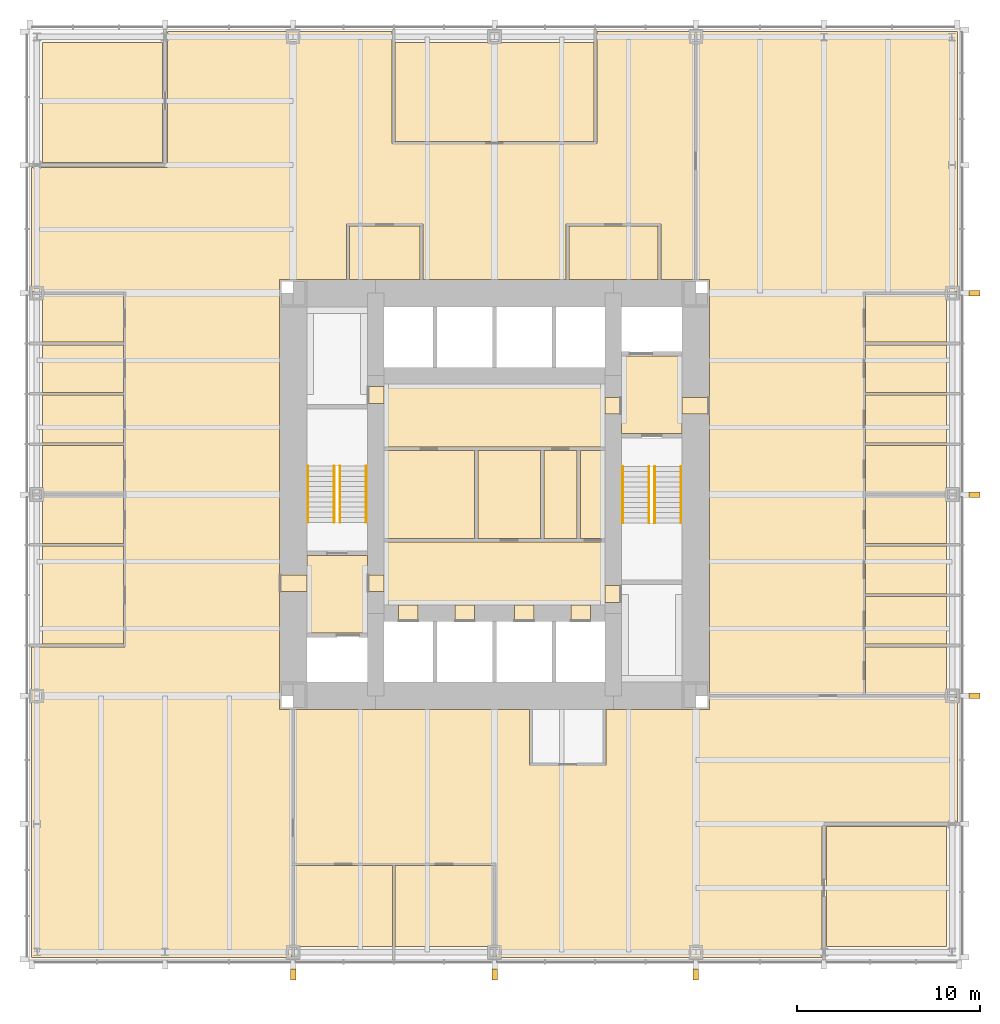
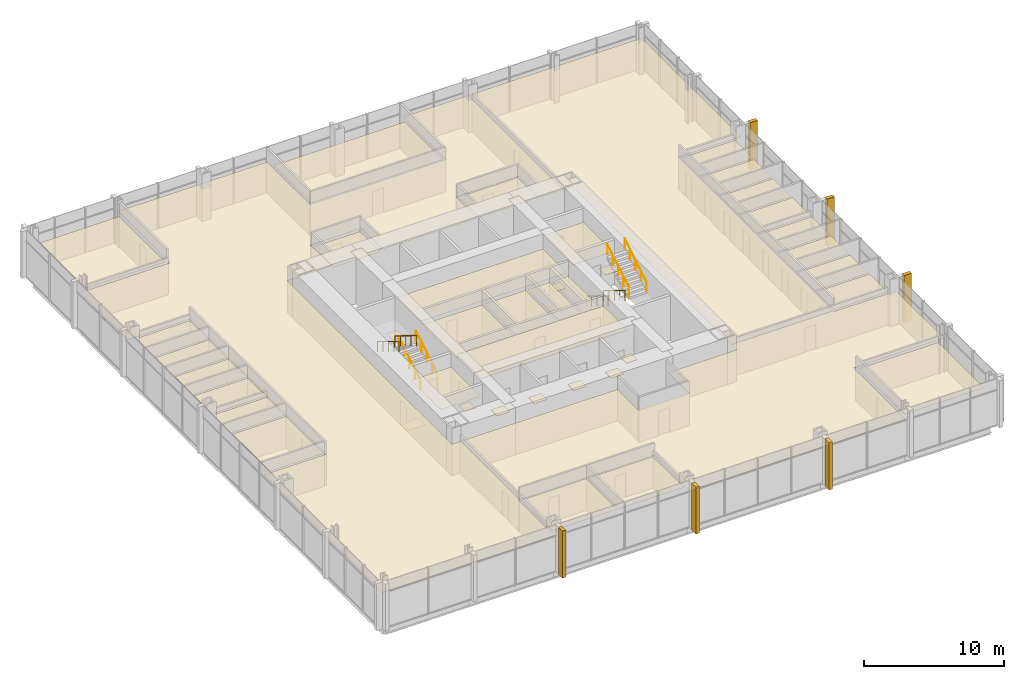
# One storey, part 13 of 13: 48 coverings, 8 railings.
"""IFC4 building model written with IfcOpenShell, lengths in metres."""

from ifc_helpers import new_model, si_unit, direction, frame, origin, origin_2d, place, context, subcontext, project, spatial, polyline, rectangle, circle, outline, extrude, material, layer, layer_set, type_object, element, save


model = new_model("IFC4")

# Units and contexts
model_context = context("Model", 3, precision=1e-05, world=origin(), true_north=direction((0.0, 1.0)))
body_context = subcontext(model_context, "Body", "Model", "MODEL_VIEW")
ifc_project = project(units=[si_unit("LENGTHUNIT", "METRE"), si_unit("AREAUNIT", "SQUARE_METRE"), si_unit("VOLUMEUNIT", "CUBIC_METRE"), si_unit("PLANEANGLEUNIT", "RADIAN"), si_unit("MASSUNIT", "GRAM", prefix="KILO")], contexts=[model_context])

# Site, building, storey
site_placement = place(None, origin())
site = spatial("IfcSite", under=ifc_project, at=site_placement, CompositionType="ELEMENT")
building_placement = place(site_placement, origin())
building = spatial("IfcBuilding", under=site, at=building_placement, Name="Trevanion Tower", CompositionType="ELEMENT")
storey_placement = place(building_placement, frame((0.0, 0.0, 85.699951171875)))
storey = spatial("IfcBuildingStorey", under=building, at=storey_placement, Name="L20", CompositionType="ELEMENT", Elevation=85.699951171875)

# Coverings
ifc_material_1 = material(Name="Fibrous plaster coffers on suspended steel grid", Category="steel")
ifc_layer_1 = layer(ifc_material_1, 0.050048828125)
ifc_layer_set_1 = layer_set([ifc_layer_1], Name="CL1 coffered fibrous plaster ceiling 50")
covering_type_1 = type_object("IfcCoveringType", Name="CL1 coffered fibrous plaster ceiling 50", PredefinedType="CEILING", material=ifc_layer_set_1)
covering_1_placement = place(storey_placement, frame((0.0, 0.0, 3.0)))
element("IfcCovering", 1, at=covering_1_placement, inside=storey, type_object=covering_type_1, Name="CL1 L20-LBS", PredefinedType="CEILING", context=body_context, shape_type="SweptSolid", body=[
    extrude(outline(polyline([(6.050048828125, -6.050048828125), (6.050048828125, -2.60009765625), (-6.050048828125, -2.60009765625), (-6.050048828125, -6.050048828125), (6.050048828125, -6.050048828125)])), origin(), (0.0, 0.0, 1.0), 0.050048828125),
])
ifc_material_2 = material(Name="Mineral fibre acoustic tiles in exposed grid", Category="mineral fibre")
ifc_layer_2 = layer(ifc_material_2, 0.02001953125)
ifc_layer_set_2 = layer_set([ifc_layer_2], Name="CL2 acoustic tile ceiling 20")
covering_type_2 = type_object("IfcCoveringType", Name="CL2 acoustic tile ceiling 20", PredefinedType="CEILING", material=ifc_layer_set_2)
covering_2_placement = place(storey_placement, frame((0.0, 0.0, 2.75)))
element("IfcCovering", 2, at=covering_2_placement, inside=storey, type_object=covering_type_2, Name="CL2 L20-LBN", PredefinedType="CEILING", context=body_context, shape_type="SweptSolid", body=[
    extrude(outline(polyline([(6.050048828125, 2.60009765625), (6.050048828125, 6.050048828125), (-6.050048828125, 6.050048828125), (-6.050048828125, 2.60009765625), (6.050048828125, 2.60009765625)])), origin(), (0.0, 0.0, 1.0), 0.02001953125),
])
covering_3_placement = place(storey_placement, frame((0.0, 0.0, 2.75)))
element("IfcCovering", 3, at=covering_3_placement, inside=storey, type_object=covering_type_2, Name="CL2 L20-OF", PredefinedType="CEILING", context=body_context, shape_type="SweptSolid", body=[
    extrude(outline(polyline([(-18.14990234375, 18.14990234375), (-24.699951171875, 18.14990234375), (-24.699951171875, 24.699951171875), (-18.14990234375, 24.699951171875), (-18.14990234375, 18.14990234375)])), origin(), (0.0, 0.0, 1.0), 0.02001953125),
])
covering_4_placement = place(storey_placement, frame((0.0, 0.0, 2.75)))
element("IfcCovering", 4, at=covering_4_placement, inside=storey, type_object=covering_type_2, Name="CL2 L20-BR", PredefinedType="CEILING", context=body_context, shape_type="SweptSolid", body=[
    extrude(outline(polyline([(18.14990234375, -18.14990234375), (24.699951171875, -18.14990234375), (24.699951171875, -24.699951171875), (18.14990234375, -24.699951171875), (18.14990234375, -18.14990234375)])), origin(), (0.0, 0.0, 1.0), 0.02001953125),
])
covering_5_placement = place(storey_placement, frame((0.0, 0.0, 2.75)))
element("IfcCovering", 5, at=covering_5_placement, inside=storey, type_object=covering_type_2, Name="CL2 L20-OF2", PredefinedType="CEILING", context=body_context, shape_type="SweptSolid", body=[
    extrude(outline(polyline([(20.27490234375, -10.925048828125), (20.27490234375, -8.324951171875), (24.699951171875, -8.324951171875), (24.699951171875, -10.925048828125), (20.27490234375, -10.925048828125)])), origin(), (0.0, 0.0, 1.0), 0.02001953125),
])
covering_6_placement = place(storey_placement, frame((0.0, 0.0, 2.75)))
element("IfcCovering", 6, at=covering_6_placement, inside=storey, type_object=covering_type_2, Name="CL2 L20-OF3", PredefinedType="CEILING", context=body_context, shape_type="SweptSolid", body=[
    extrude(outline(polyline([(20.27490234375, -8.175048828125), (20.27490234375, -5.574951171875), (24.699951171875, -5.574951171875), (24.699951171875, -8.175048828125), (20.27490234375, -8.175048828125)])), origin(), (0.0, 0.0, 1.0), 0.02001953125),
])
covering_7_placement = place(storey_placement, frame((0.0, 0.0, 2.75)))
element("IfcCovering", 7, at=covering_7_placement, inside=storey, type_object=covering_type_2, Name="CL2 L20-OF4", PredefinedType="CEILING", context=body_context, shape_type="SweptSolid", body=[
    extrude(outline(polyline([(20.27490234375, -5.425048828125), (20.27490234375, -2.824951171875), (24.699951171875, -2.824951171875), (24.699951171875, -5.425048828125), (20.27490234375, -5.425048828125)])), origin(), (0.0, 0.0, 1.0), 0.02001953125),
])
covering_8_placement = place(storey_placement, frame((0.0, 0.0, 2.75)))
element("IfcCovering", 8, at=covering_8_placement, inside=storey, type_object=covering_type_2, Name="CL2 L20-OF5", PredefinedType="CEILING", context=body_context, shape_type="SweptSolid", body=[
    extrude(outline(polyline([(20.27490234375, -2.675048828125), (20.27490234375, -0.074951171875), (24.699951171875, -0.074951171875), (24.699951171875, -2.675048828125), (20.27490234375, -2.675048828125)])), origin(), (0.0, 0.0, 1.0), 0.02001953125),
])
covering_9_placement = place(storey_placement, frame((0.0, 0.0, 2.75)))
element("IfcCovering", 9, at=covering_9_placement, inside=storey, type_object=covering_type_2, Name="CL2 L20-OF6", PredefinedType="CEILING", context=body_context, shape_type="SweptSolid", body=[
    extrude(outline(polyline([(20.27490234375, 0.074951171875), (20.27490234375, 2.675048828125), (24.699951171875, 2.675048828125), (24.699951171875, 0.074951171875), (20.27490234375, 0.074951171875)])), origin(), (0.0, 0.0, 1.0), 0.02001953125),
])
covering_10_placement = place(storey_placement, frame((0.0, 0.0, 2.75)))
element("IfcCovering", 10, at=covering_10_placement, inside=storey, type_object=covering_type_2, Name="CL2 L20-OF7", PredefinedType="CEILING", context=body_context, shape_type="SweptSolid", body=[
    extrude(outline(polyline([(20.27490234375, 2.824951171875), (20.27490234375, 5.425048828125), (24.699951171875, 5.425048828125), (24.699951171875, 2.824951171875), (20.27490234375, 2.824951171875)])), origin(), (0.0, 0.0, 1.0), 0.02001953125),
])
covering_11_placement = place(storey_placement, frame((0.0, 0.0, 2.75)))
element("IfcCovering", 11, at=covering_11_placement, inside=storey, type_object=covering_type_2, Name="CL2 L20-OF8", PredefinedType="CEILING", context=body_context, shape_type="SweptSolid", body=[
    extrude(outline(polyline([(20.27490234375, 5.574951171875), (20.27490234375, 8.175048828125), (24.699951171875, 8.175048828125), (24.699951171875, 5.574951171875), (20.27490234375, 5.574951171875)])), origin(), (0.0, 0.0, 1.0), 0.02001953125),
])
covering_12_placement = place(storey_placement, frame((0.0, 0.0, 2.75)))
element("IfcCovering", 12, at=covering_12_placement, inside=storey, type_object=covering_type_2, Name="CL2 L20-OF9", PredefinedType="CEILING", context=body_context, shape_type="SweptSolid", body=[
    extrude(outline(polyline([(20.27490234375, 8.324951171875), (20.27490234375, 10.925048828125), (24.699951171875, 10.925048828125), (24.699951171875, 8.324951171875), (20.27490234375, 8.324951171875)])), origin(), (0.0, 0.0, 1.0), 0.02001953125),
])
covering_13_placement = place(storey_placement, frame((0.0, 0.0, 2.75)))
element("IfcCovering", 13, at=covering_13_placement, inside=storey, type_object=covering_type_2, Name="CL2 L20-OF10", PredefinedType="CEILING", context=body_context, shape_type="SweptSolid", body=[
    extrude(outline(polyline([(-20.27490234375, 10.925048828125), (-20.27490234375, 8.324951171875), (-24.699951171875, 8.324951171875), (-24.699951171875, 10.925048828125), (-20.27490234375, 10.925048828125)])), origin(), (0.0, 0.0, 1.0), 0.02001953125),
])
covering_14_placement = place(storey_placement, frame((0.0, 0.0, 2.75)))
element("IfcCovering", 14, at=covering_14_placement, inside=storey, type_object=covering_type_2, Name="CL2 L20-OF11", PredefinedType="CEILING", context=body_context, shape_type="SweptSolid", body=[
    extrude(outline(polyline([(-20.27490234375, 8.175048828125), (-20.27490234375, 5.574951171875), (-24.699951171875, 5.574951171875), (-24.699951171875, 8.175048828125), (-20.27490234375, 8.175048828125)])), origin(), (0.0, 0.0, 1.0), 0.02001953125),
])
covering_15_placement = place(storey_placement, frame((0.0, 0.0, 2.75)))
element("IfcCovering", 15, at=covering_15_placement, inside=storey, type_object=covering_type_2, Name="CL2 L20-OF12", PredefinedType="CEILING", context=body_context, shape_type="SweptSolid", body=[
    extrude(outline(polyline([(-20.27490234375, 5.425048828125), (-20.27490234375, 2.824951171875), (-24.699951171875, 2.824951171875), (-24.699951171875, 5.425048828125), (-20.27490234375, 5.425048828125)])), origin(), (0.0, 0.0, 1.0), 0.02001953125),
])
covering_16_placement = place(storey_placement, frame((0.0, 0.0, 2.75)))
element("IfcCovering", 16, at=covering_16_placement, inside=storey, type_object=covering_type_2, Name="CL2 L20-OF13", PredefinedType="CEILING", context=body_context, shape_type="SweptSolid", body=[
    extrude(outline(polyline([(-20.27490234375, 2.675048828125), (-20.27490234375, 0.074951171875), (-24.699951171875, 0.074951171875), (-24.699951171875, 2.675048828125), (-20.27490234375, 2.675048828125)])), origin(), (0.0, 0.0, 1.0), 0.02001953125),
])
covering_17_placement = place(storey_placement, frame((0.0, 0.0, 2.75)))
element("IfcCovering", 17, at=covering_17_placement, inside=storey, type_object=covering_type_2, Name="CL2 L20-OF14", PredefinedType="CEILING", context=body_context, shape_type="SweptSolid", body=[
    extrude(outline(polyline([(-20.27490234375, -0.074951171875), (-20.27490234375, -2.675048828125), (-24.699951171875, -2.675048828125), (-24.699951171875, -0.074951171875), (-20.27490234375, -0.074951171875)])), origin(), (0.0, 0.0, 1.0), 0.02001953125),
])
covering_18_placement = place(storey_placement, frame((0.0, 0.0, 2.75)))
element("IfcCovering", 18, at=covering_18_placement, inside=storey, type_object=covering_type_2, Name="CL2 L20-MR", PredefinedType="CEILING", context=body_context, shape_type="SweptSolid", body=[
    extrude(outline(polyline([(-20.27490234375, -2.824951171875), (-20.27490234375, -8.175048828125), (-24.699951171875, -8.175048828125), (-24.699951171875, -2.824951171875), (-20.27490234375, -2.824951171875)])), origin(), (0.0, 0.0, 1.0), 0.02001953125),
])
covering_19_placement = place(storey_placement, frame((0.0, 0.0, 2.75)))
element("IfcCovering", 19, at=covering_19_placement, inside=storey, type_object=covering_type_2, Name="CL2 L20-BR2", PredefinedType="CEILING", context=body_context, shape_type="SweptSolid", body=[
    extrude(outline(polyline([(5.425048828125, 19.27490234375), (-5.425048828125, 19.27490234375), (-5.425048828125, 24.699951171875), (5.425048828125, 24.699951171875), (5.425048828125, 19.27490234375)])), origin(), (0.0, 0.0, 1.0), 0.02001953125),
])
covering_20_placement = place(storey_placement, frame((0.0, 0.0, 2.75)))
element("IfcCovering", 20, at=covering_20_placement, inside=storey, type_object=covering_type_2, Name="CL2 L20-MR2", PredefinedType="CEILING", context=body_context, shape_type="SweptSolid", body=[
    extrude(outline(polyline([(-10.925048828125, -20.27490234375), (-5.574951171875, -20.27490234375), (-5.574951171875, -24.699951171875), (-10.925048828125, -24.699951171875), (-10.925048828125, -20.27490234375)])), origin(), (0.0, 0.0, 1.0), 0.02001953125),
])
covering_21_placement = place(storey_placement, frame((0.0, 0.0, 2.75)))
element("IfcCovering", 21, at=covering_21_placement, inside=storey, type_object=covering_type_2, Name="CL2 L20-MR3", PredefinedType="CEILING", context=body_context, shape_type="SweptSolid", body=[
    extrude(outline(polyline([(-5.425048828125, -20.27490234375), (-0.074951171875, -20.27490234375), (-0.074951171875, -24.699951171875), (-5.425048828125, -24.699951171875), (-5.425048828125, -20.27490234375)])), origin(), (0.0, 0.0, 1.0), 0.02001953125),
])
covering_22_placement = place(storey_placement, frame((0.0, 0.0, 2.75)))
element("IfcCovering", 22, at=covering_22_placement, inside=storey, type_object=covering_type_2, Name="CL2 L20-RC", PredefinedType="CEILING", context=body_context, shape_type="SweptSolid", body=[
    extrude(outline(polyline([(4.074951171875, 14.675048828125), (8.925048828125, 14.675048828125), (8.925048828125, 11.75), (4.074951171875, 11.75), (4.074951171875, 14.675048828125)])), origin(), (0.0, 0.0, 1.0), 0.02001953125),
])
covering_23_placement = place(storey_placement, frame((0.0, 0.0, 2.75)))
element("IfcCovering", 23, at=covering_23_placement, inside=storey, type_object=covering_type_2, Name="CL2 L20-OP", PredefinedType="CEILING", context=body_context, shape_type="SweptSolid", body=[
    extrude(outline(polyline([(11.75, 11.75), (11.0, 11.75), (11.0, 25.300048828125), (25.300048828125, 25.300048828125), (25.300048828125, 11.094970703125), (20.179931640625, 11.094970703125), (20.179931640625, -11.0), (11.75, -11.0), (11.75, 11.75)])), origin(), (0.0, 0.0, 1.0), 0.02001953125),
])
covering_24_placement = place(storey_placement, frame((0.0, 0.0, 2.75)))
element("IfcCovering", 24, at=covering_24_placement, inside=storey, type_object=covering_type_2, Name="CL2 L20-OP2", PredefinedType="CEILING", context=body_context, shape_type="SweptSolid", body=[
    extrude(outline(polyline([(-11.0, -11.75), (-11.0, -20.179931640625), (-11.094970703125, -20.179931640625), (-11.094970703125, -25.300048828125), (-25.300048828125, -25.300048828125), (-25.300048828125, -8.344970703125), (-20.179931640625, -8.344970703125), (-20.179931640625, 11.094970703125), (-25.300048828125, 11.094970703125), (-25.300048828125, 17.8798828125), (-17.8798828125, 17.8798828125), (-17.8798828125, 25.300048828125), (-5.594970703125, 25.300048828125), (-5.594970703125, 19.179931640625), (5.594970703125, 19.179931640625), (5.594970703125, 25.300048828125), (11.0, 25.300048828125), (11.0, 11.75), (9.094970703125, 11.75), (9.094970703125, 14.77001953125), (3.905029296875, 14.77001953125), (3.905029296875, 11.75), (-3.905029296875, 11.75), (-3.905029296875, 14.77001953125), (-8.094970703125, 14.77001953125), (-8.094970703125, 11.75), (-11.75, 11.75), (-11.75, -11.75), (-11.0, -11.75)])), origin(), (0.0, 0.0, 1.0), 0.02001953125),
])
covering_25_placement = place(storey_placement, frame((0.0, 0.0, 2.75)))
element("IfcCovering", 25, at=covering_25_placement, inside=storey, type_object=covering_type_2, Name="CL2 L20-OP3", PredefinedType="CEILING", context=body_context, shape_type="SweptSolid", body=[
    extrude(outline(polyline([(1.905029296875, -11.75), (1.905029296875, -14.77001953125), (6.094970703125, -14.77001953125), (6.094970703125, -11.75), (11.75, -11.75), (11.75, -11.0), (20.179931640625, -11.0), (20.179931640625, -11.094970703125), (25.300048828125, -11.094970703125), (25.300048828125, -17.8798828125), (17.8798828125, -17.8798828125), (17.8798828125, -25.300048828125), (0.094970703125, -25.300048828125), (0.094970703125, -20.179931640625), (-11.0, -20.179931640625), (-11.0, -11.75), (1.905029296875, -11.75)])), origin(), (0.0, 0.0, 1.0), 0.02001953125),
])
ifc_material_3 = material(Name="Gypsum plasterboard on suspended metal furring", Category="gypsum")
ifc_layer_3 = layer(ifc_material_3, 0.012939453125)
ifc_layer_set_3 = layer_set([ifc_layer_3], Name="CL3 plasterboard ceiling 13")
covering_type_3 = type_object("IfcCoveringType", Name="CL3 plasterboard ceiling 13", PredefinedType="CEILING", material=ifc_layer_set_3)
covering_26_placement = place(storey_placement, frame((0.0, 0.0, 2.699951171875)))
element("IfcCovering", 26, at=covering_26_placement, inside=storey, type_object=covering_type_3, Name="CL3 L20-FV1", PredefinedType="CEILING", context=body_context, shape_type="SweptSolid", body=[
    extrude(outline(polyline([(10.25, 3.324951171875), (10.25, 7.574951171875), (6.949951171875, 7.574951171875), (6.949951171875, 3.324951171875), (10.25, 3.324951171875)])), origin(), (0.0, 0.0, 1.0), 0.01318359375),
])
covering_27_placement = place(storey_placement, frame((0.0, 0.0, 2.699951171875)))
element("IfcCovering", 27, at=covering_27_placement, inside=storey, type_object=covering_type_3, Name="CL3 L20-FV2", PredefinedType="CEILING", context=body_context, shape_type="SweptSolid", body=[
    extrude(outline(polyline([(-10.25, -3.324951171875), (-10.25, -7.574951171875), (-6.949951171875, -7.574951171875), (-6.949951171875, -3.324951171875), (-10.25, -3.324951171875)])), origin(), (0.0, 0.0, 1.0), 0.01318359375),
])
ifc_material_4 = material(Name="Moisture-resistant gypsum board on suspended metal furring", Category="gypsum")
ifc_layer_4 = layer(ifc_material_4, 0.01611328125)
ifc_layer_set_4 = layer_set([ifc_layer_4], Name="CL4 moisture-resistant board ceiling 16")
covering_type_4 = type_object("IfcCoveringType", Name="CL4 moisture-resistant board ceiling 16", PredefinedType="CEILING", material=ifc_layer_set_4)
covering_28_placement = place(storey_placement, frame((0.0, 0.0, 2.60009765625)))
element("IfcCovering", 28, at=covering_28_placement, inside=storey, type_object=covering_type_4, Name="CL4 L20-WCM", PredefinedType="CEILING", context=body_context, shape_type="SweptSolid", body=[
    extrude(outline(polyline([(-1.10009765625, -2.39990234375), (-1.10009765625, 2.39990234375), (-6.050048828125, 2.39990234375), (-6.050048828125, -2.39990234375), (-1.10009765625, -2.39990234375)])), origin(), (0.0, 0.0, 1.0), 0.015869140625),
])
covering_29_placement = place(storey_placement, frame((0.0, 0.0, 2.60009765625)))
element("IfcCovering", 29, at=covering_29_placement, inside=storey, type_object=covering_type_4, Name="CL4 L20-WCF", PredefinedType="CEILING", context=body_context, shape_type="SweptSolid", body=[
    extrude(outline(polyline([(2.5, -2.39990234375), (2.5, 2.39990234375), (-0.89990234375, 2.39990234375), (-0.89990234375, -2.39990234375), (2.5, -2.39990234375)])), origin(), (0.0, 0.0, 1.0), 0.015869140625),
])
covering_30_placement = place(storey_placement, frame((0.0, 0.0, 2.60009765625)))
element("IfcCovering", 30, at=covering_30_placement, inside=storey, type_object=covering_type_4, Name="CL4 L20-WCA", PredefinedType="CEILING", context=body_context, shape_type="SweptSolid", body=[
    extrude(outline(polyline([(4.5, -2.39990234375), (4.5, 2.39990234375), (2.699951171875, 2.39990234375), (2.699951171875, -2.39990234375), (4.5, -2.39990234375)])), origin(), (0.0, 0.0, 1.0), 0.015869140625),
])
covering_31_placement = place(storey_placement, frame((0.0, 0.0, 2.60009765625)))
element("IfcCovering", 31, at=covering_31_placement, inside=storey, type_object=covering_type_4, Name="CL4 L20-SH", PredefinedType="CEILING", context=body_context, shape_type="SweptSolid", body=[
    extrude(outline(polyline([(6.050048828125, -2.39990234375), (6.050048828125, 2.39990234375), (4.699951171875, 2.39990234375), (4.699951171875, -2.39990234375), (6.050048828125, -2.39990234375)])), origin(), (0.0, 0.0, 1.0), 0.015869140625),
])
covering_32_placement = place(storey_placement, frame((0.0, 0.0, 2.60009765625)))
element("IfcCovering", 32, at=covering_32_placement, inside=storey, type_object=covering_type_4, Name="CL4 L20-PA", PredefinedType="CEILING", context=body_context, shape_type="SweptSolid", body=[
    extrude(outline(polyline([(-7.925048828125, 14.675048828125), (-4.074951171875, 14.675048828125), (-4.074951171875, 11.75), (-7.925048828125, 11.75), (-7.925048828125, 14.675048828125)])), origin(), (0.0, 0.0, 1.0), 0.015869140625),
])
ifc_material_5 = material(Name="Cast bronze fin on aluminium carrier", Category="aluminium")
covering_type_5 = type_object("IfcCoveringType", Name="F1 bronze fin", PredefinedType="CLADDING", material=ifc_material_5)
for number, where, z_axis, x_axis, name in (
    (33, (26.22509765625, -11.0, -0.18994140625), (0.0, 0.0, 1.0), (0.0, 1.0, 0.0), "F1 L20 east -11.0"),
    (34, (26.22509765625, 0.0, -0.18994140625), (0.0, 0.0, 1.0), (0.0, 1.0, 0.0), "F1 L20 east +0.0"),
    (35, (26.22509765625, 11.0, -0.18994140625), (0.0, 0.0, 1.0), (0.0, 1.0, 0.0), "F1 L20 east +11.0"),
    (36, (-11.0, -26.22509765625, -0.18994140625), (0.0, 0.0, 1.0), (1.0, 0.0, 0.0), "F1 L20 south -11.0"),
    (37, (0.0, -26.22509765625, -0.18994140625), (0.0, 0.0, 1.0), (1.0, 0.0, 0.0), "F1 L20 south +0.0"),
    (38, (11.0, -26.22509765625, -0.18994140625), (0.0, 0.0, 1.0), (1.0, 0.0, 0.0), "F1 L20 south +11.0"),
):
    element("IfcCovering", number, at=place(storey_placement, frame(where, z_axis=z_axis, x_axis=x_axis)), inside=storey, type_object=covering_type_5, Name=name, PredefinedType="CLADDING", context=body_context, shape_type="SweptSolid", body=[
        extrude(rectangle(XDim=0.300048828125, YDim=0.60009765625, at=origin_2d()), origin(), (0.0, 0.0, 1.0), 4.10009765625),
    ])
ifc_material_6 = material(Name="Terrazzo, brass divider strips", Category="stone")
ifc_layer_5 = layer(ifc_material_6, 0.02001953125)
ifc_layer_set_5 = layer_set([ifc_layer_5], Name="FF1 terrazzo flooring")
covering_type_6 = type_object("IfcCoveringType", Name="FF1 terrazzo flooring", PredefinedType="FLOORING", material=ifc_layer_set_5)
covering_33_placement = place(storey_placement, origin())
element("IfcCovering", 39, at=covering_33_placement, inside=storey, type_object=covering_type_6, Name="FF1 threshold 20-001", PredefinedType="FLOORING", context=body_context, shape_type="SweptSolid", body=[
    extrude(outline(polyline([(11.75, 4.392578125), (11.75, 5.3076171875), (10.25, 5.3076171875), (10.25, 4.392578125), (11.75, 4.392578125)])), origin(), (0.0, 0.0, 1.0), 0.02001953125),
])
covering_34_placement = place(storey_placement, origin())
element("IfcCovering", 40, at=covering_34_placement, inside=storey, type_object=covering_type_6, Name="FF1 threshold 20-002", PredefinedType="FLOORING", context=body_context, shape_type="SweptSolid", body=[
    extrude(outline(polyline([(-11.75, -4.392578125), (-11.75, -5.3076171875), (-10.25, -5.3076171875), (-10.25, -4.392578125), (-11.75, -4.392578125)])), origin(), (0.0, 0.0, 1.0), 0.02001953125),
])
covering_35_placement = place(storey_placement, origin())
element("IfcCovering", 41, at=covering_35_placement, inside=storey, type_object=covering_type_6, Name="FF1 threshold 20-003", PredefinedType="FLOORING", context=body_context, shape_type="SweptSolid", body=[
    extrude(outline(polyline([(6.949951171875, 4.392578125), (6.949951171875, 5.3076171875), (6.050048828125, 5.3076171875), (6.050048828125, 4.392578125), (6.949951171875, 4.392578125)])), origin(), (0.0, 0.0, 1.0), 0.02001953125),
])
covering_36_placement = place(storey_placement, origin())
element("IfcCovering", 42, at=covering_36_placement, inside=storey, type_object=covering_type_6, Name="FF1 threshold 20-004", PredefinedType="FLOORING", context=body_context, shape_type="SweptSolid", body=[
    extrude(outline(polyline([(-6.949951171875, -4.392578125), (-6.949951171875, -5.3076171875), (-6.050048828125, -5.3076171875), (-6.050048828125, -4.392578125), (-6.949951171875, -4.392578125)])), origin(), (0.0, 0.0, 1.0), 0.02001953125),
])
covering_37_placement = place(storey_placement, origin())
element("IfcCovering", 43, at=covering_37_placement, inside=storey, type_object=covering_type_6, Name="FF1 threshold 20-009", PredefinedType="FLOORING", context=body_context, shape_type="SweptSolid", body=[
    extrude(outline(polyline([(6.949951171875, -5.889892578125), (6.949951171875, -4.97509765625), (6.050048828125, -4.97509765625), (6.050048828125, -5.889892578125), (6.949951171875, -5.889892578125)])), origin(), (0.0, 0.0, 1.0), 0.02001953125),
])
covering_38_placement = place(storey_placement, origin())
element("IfcCovering", 44, at=covering_38_placement, inside=storey, type_object=covering_type_6, Name="FF1 threshold 20-010", PredefinedType="FLOORING", context=body_context, shape_type="SweptSolid", body=[
    extrude(outline(polyline([(-6.949951171875, 5.889892578125), (-6.949951171875, 4.97509765625), (-6.050048828125, 4.97509765625), (-6.050048828125, 5.889892578125), (-6.949951171875, 5.889892578125)])), origin(), (0.0, 0.0, 1.0), 0.02001953125),
])
covering_39_placement = place(storey_placement, origin())
element("IfcCovering", 45, at=covering_39_placement, inside=storey, type_object=covering_type_6, Name="FF1 threshold 20-011", PredefinedType="FLOORING", context=body_context, shape_type="SweptSolid", body=[
    extrude(outline(polyline([(-5.2333984375, -6.949951171875), (-4.16650390625, -6.949951171875), (-4.16650390625, -6.050048828125), (-5.2333984375, -6.050048828125), (-5.2333984375, -6.949951171875)])), origin(), (0.0, 0.0, 1.0), 0.02001953125),
])
covering_40_placement = place(storey_placement, origin())
element("IfcCovering", 46, at=covering_40_placement, inside=storey, type_object=covering_type_6, Name="FF1 threshold 20-012", PredefinedType="FLOORING", context=body_context, shape_type="SweptSolid", body=[
    extrude(outline(polyline([(-2.158447265625, -6.949951171875), (-1.091552734375, -6.949951171875), (-1.091552734375, -6.050048828125), (-2.158447265625, -6.050048828125), (-2.158447265625, -6.949951171875)])), origin(), (0.0, 0.0, 1.0), 0.02001953125),
])
covering_41_placement = place(storey_placement, origin())
element("IfcCovering", 47, at=covering_41_placement, inside=storey, type_object=covering_type_6, Name="FF1 threshold 20-013", PredefinedType="FLOORING", context=body_context, shape_type="SweptSolid", body=[
    extrude(outline(polyline([(1.091552734375, -6.949951171875), (2.158447265625, -6.949951171875), (2.158447265625, -6.050048828125), (1.091552734375, -6.050048828125), (1.091552734375, -6.949951171875)])), origin(), (0.0, 0.0, 1.0), 0.02001953125),
])
covering_42_placement = place(storey_placement, origin())
element("IfcCovering", 48, at=covering_42_placement, inside=storey, type_object=covering_type_6, Name="FF1 threshold 20-014", PredefinedType="FLOORING", context=body_context, shape_type="SweptSolid", body=[
    extrude(outline(polyline([(4.16650390625, -6.949951171875), (5.2333984375, -6.949951171875), (5.2333984375, -6.050048828125), (4.16650390625, -6.050048828125), (4.16650390625, -6.949951171875)])), origin(), (0.0, 0.0, 1.0), 0.02001953125),
])

# Railings
ifc_material_7 = material(Name="Stainless steel tube 40 mm", Category="steel")
railing_type = type_object("IfcRailingType", Name="HR1 handrail", PredefinedType="HANDRAIL", material=ifc_material_7)
for number, where, name in (
    (49, (7.010009765625, 1.52490234375, 0.1708984375), "HR1 ST1 L20 flight 1"),
    (50, (8.43994140625, 1.52490234375, 0.1708984375), "HR1 ST1 L20 flight 1"),
):
    element("IfcRailing", number, at=place(storey_placement, frame(where)), inside=storey, type_object=railing_type, Name=name, PredefinedType="HANDRAIL", context=body_context, shape_type="SweptSolid", body=[
        extrude(circle(Radius=0.02001953125, at=origin_2d()), frame((0.0, 0.0, 0.8798828125), z_axis=(0.0, -0.853647949592, 0.520850437417), x_axis=(1.0, 0.0, 0.0)), (0.0, 0.0, 1.0), 3.60791015625),
        extrude(circle(Radius=0.01513671875, at=origin_2d()), origin(), (0.0, 0.0, 1.0), 0.85986328125),
        extrude(circle(Radius=0.01513671875, at=origin_2d()), frame((0.0, -0.77001953125, 0.4697265625)), (0.0, 0.0, 1.0), 0.85986328125),
        extrude(circle(Radius=0.01513671875, at=origin_2d()), frame((0.0, -1.5400390625, 0.939453125)), (0.0, 0.0, 1.0), 0.85986328125),
        extrude(circle(Radius=0.01513671875, at=origin_2d()), frame((0.0, -2.309814453125, 1.409423828125)), (0.0, 0.0, 1.0), 0.85986328125),
        extrude(circle(Radius=0.01513671875, at=origin_2d()), frame((0.0, -3.079833984375, 1.879150390625)), (0.0, 0.0, 1.0), 0.85986328125),
    ])
for number, where, name in (
    (51, (8.760009765625, -1.554931640625, 2.220947265625), "HR1 ST1 L20 flight 2"),
    (52, (10.18994140625, -1.554931640625, 2.220947265625), "HR1 ST1 L20 flight 2"),
    (53, (-7.010009765625, -1.52490234375, 0.1708984375), "HR1 ST2 L20 flight 1"),
    (54, (-8.43994140625, -1.52490234375, 0.1708984375), "HR1 ST2 L20 flight 1"),
):
    element("IfcRailing", number, at=place(storey_placement, frame(where)), inside=storey, type_object=railing_type, Name=name, PredefinedType="HANDRAIL", context=body_context, shape_type="SweptSolid", body=[
        extrude(circle(Radius=0.02001953125, at=origin_2d()), frame((0.0, 0.0, 0.8798828125), z_axis=(0.0, 0.853647949592, 0.520850437417), x_axis=(-1.0, 0.0, 0.0)), (0.0, 0.0, 1.0), 3.60791015625),
        extrude(circle(Radius=0.01513671875, at=origin_2d()), origin(), (0.0, 0.0, 1.0), 0.85986328125),
        extrude(circle(Radius=0.01513671875, at=origin_2d()), frame((0.0, 0.77001953125, 0.4697265625)), (0.0, 0.0, 1.0), 0.85986328125),
        extrude(circle(Radius=0.01513671875, at=origin_2d()), frame((0.0, 1.5400390625, 0.939453125)), (0.0, 0.0, 1.0), 0.85986328125),
        extrude(circle(Radius=0.01513671875, at=origin_2d()), frame((0.0, 2.309814453125, 1.409423828125)), (0.0, 0.0, 1.0), 0.85986328125),
        extrude(circle(Radius=0.01513671875, at=origin_2d()), frame((0.0, 3.079833984375, 1.879150390625)), (0.0, 0.0, 1.0), 0.85986328125),
    ])
for number, where, name in (
    (55, (-8.760009765625, 1.554931640625, 2.220947265625), "HR1 ST2 L20 flight 2"),
    (56, (-10.18994140625, 1.554931640625, 2.220947265625), "HR1 ST2 L20 flight 2"),
):
    element("IfcRailing", number, at=place(storey_placement, frame(where)), inside=storey, type_object=railing_type, Name=name, PredefinedType="HANDRAIL", context=body_context, shape_type="SweptSolid", body=[
        extrude(circle(Radius=0.02001953125, at=origin_2d()), frame((0.0, 0.0, 0.8798828125), z_axis=(0.0, -0.853647949592, 0.520850437417), x_axis=(1.0, 0.0, 0.0)), (0.0, 0.0, 1.0), 3.60791015625),
        extrude(circle(Radius=0.01513671875, at=origin_2d()), origin(), (0.0, 0.0, 1.0), 0.85986328125),
        extrude(circle(Radius=0.01513671875, at=origin_2d()), frame((0.0, -0.77001953125, 0.4697265625)), (0.0, 0.0, 1.0), 0.85986328125),
        extrude(circle(Radius=0.01513671875, at=origin_2d()), frame((0.0, -1.5400390625, 0.939453125)), (0.0, 0.0, 1.0), 0.85986328125),
        extrude(circle(Radius=0.01513671875, at=origin_2d()), frame((0.0, -2.309814453125, 1.409423828125)), (0.0, 0.0, 1.0), 0.85986328125),
        extrude(circle(Radius=0.01513671875, at=origin_2d()), frame((0.0, -3.079833984375, 1.879150390625)), (0.0, 0.0, 1.0), 0.85986328125),
    ])

save(model, "model.ifc")
